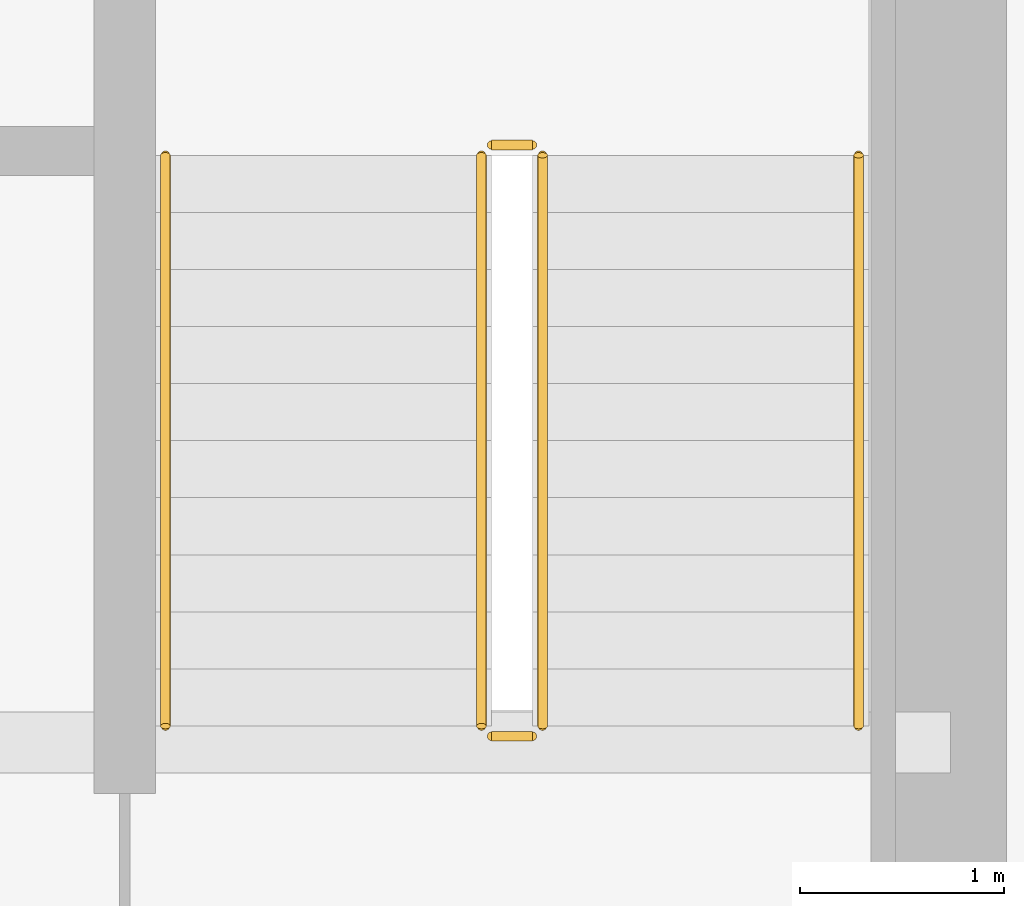
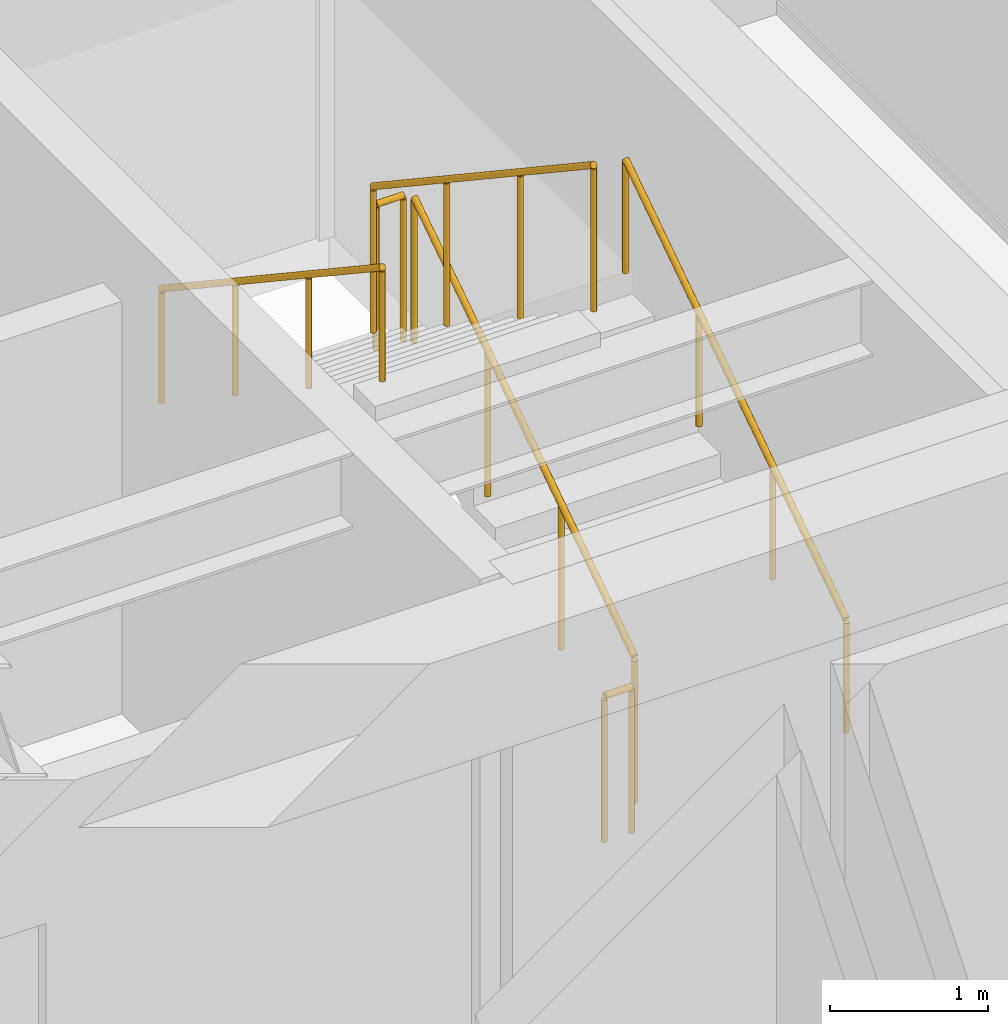
# One storey, part 33 of 33: 6 railings.
"""IFC4 building model written with IfcOpenShell, lengths in metres."""

from ifc_helpers import new_model, si_unit, direction, frame, origin, origin_2d, place, context, subcontext, project, spatial, circle, extrude, source, transform, mapped, material, type_object, type_shapes, element, save


model = new_model("IFC4")

# Units and contexts
model_context = context("Model", 3, precision=1e-05, world=origin(), true_north=direction((0.0, 1.0)))
body_context = subcontext(model_context, "Body", "Model", "MODEL_VIEW")
ifc_project = project(units=[si_unit("LENGTHUNIT", "METRE"), si_unit("AREAUNIT", "SQUARE_METRE"), si_unit("VOLUMEUNIT", "CUBIC_METRE"), si_unit("PLANEANGLEUNIT", "RADIAN"), si_unit("MASSUNIT", "GRAM", prefix="KILO")], contexts=[model_context])

# Site, building, storey
site_placement = place(None, origin())
site = spatial("IfcSite", under=ifc_project, at=site_placement, CompositionType="ELEMENT")
building_placement = place(site_placement, origin())
building = spatial("IfcBuilding", under=site, at=building_placement, Name="Haelvirn Gate Laboratories", CompositionType="ELEMENT")
storey_placement = place(building_placement, frame((0.0, 0.0, 217.800048828125)))
storey = spatial("IfcBuildingStorey", under=building, at=storey_placement, Name="L52", CompositionType="ELEMENT", Elevation=217.800048828125)

# Railings
ifc_material_1 = material(Name="Galvanised steel SM355 & stainless top rail", Category="steel")
railing_type_1 = type_object("IfcRailingType", Name="RL-GUARD-1150", PredefinedType="GUARDRAIL", material=ifc_material_1)
shared_shape_1 = source(origin(), body_context, "Body", "SweptSolid", [
    extrude(circle(Radius=0.02392578125, at=origin_2d()), frame((0.0, 0.0, 1.1259765625), z_axis=(0.0, 0.832452072856, 0.554097055034), x_axis=(-1.0, 0.0, 0.0)), (0.0, 0.0, 1.0), 3.363525390625),
    extrude(circle(Radius=0.02099609375, at=origin_2d()), origin(), (0.0, 0.0, 1.0), 1.101806640625),
    extrude(circle(Radius=0.02099609375, at=origin_2d()), frame((0.0, 0.933349609375, 0.621337890625)), (0.0, 0.0, 1.0), 1.101806640625),
    extrude(circle(Radius=0.02099609375, at=origin_2d()), frame((0.0, 1.86669921875, 1.242431640625)), (0.0, 0.0, 1.0), 1.101806640625),
    extrude(circle(Radius=0.02099609375, at=origin_2d()), frame((0.0, 2.800048828125, 1.86376953125)), (0.0, 0.0, 1.0), 1.101806640625),
])
railing_1_placement = place(storey_placement, frame((65.39990234375, 26.699951171875, 0.186279296875)))
element("IfcRailing", 1, at=railing_1_placement, inside=storey, type_object=railing_type_1, Name="L52 ST2 stair guard 1", PredefinedType="GUARDRAIL", context=body_context, shape_type="MappedRepresentation", body=[
    mapped(shared_shape_1, transform((0.0, 0.0, 0.0), scale=1.0)),
])
shared_shape_2 = source(origin(), body_context, "Body", "SweptSolid", [
    extrude(circle(Radius=0.02392578125, at=origin_2d()), frame((0.0, 0.0, 1.1259765625), z_axis=(0.0, -0.832485552168, 0.554046753832), x_axis=(1.0, 0.0, 0.0)), (0.0, 0.0, 1.0), 3.363525390625),
    extrude(circle(Radius=0.02099609375, at=origin_2d()), origin(), (0.0, 0.0, 1.0), 1.101806640625),
    extrude(circle(Radius=0.02099609375, at=origin_2d()), frame((0.0, -0.933349609375, 0.62109375)), (0.0, 0.0, 1.0), 1.101806640625),
    extrude(circle(Radius=0.02099609375, at=origin_2d()), frame((0.0, -1.86669921875, 1.242431640625)), (0.0, 0.0, 1.0), 1.101806640625),
    extrude(circle(Radius=0.02099609375, at=origin_2d()), frame((0.0, -2.800048828125, 1.863525390625)), (0.0, 0.0, 1.0), 1.101806640625),
])
railing_2_placement = place(storey_placement, frame((65.10009765625, 29.5, 2.236328125)))
element("IfcRailing", 2, at=railing_2_placement, inside=storey, type_object=railing_type_1, Name="L52 ST2 stair guard 3", PredefinedType="GUARDRAIL", context=body_context, shape_type="MappedRepresentation", body=[
    mapped(shared_shape_2, transform((0.0, 0.0, 0.0), scale=1.0)),
])
ifc_material_2 = material(Name="Brushed stainless steel 316L", Category="steel")
railing_type_2 = type_object("IfcRailingType", Name="RL-HAND-920", PredefinedType="HANDRAIL", material=ifc_material_2)
shared_shape_3 = source(origin(), body_context, "Body", "SweptSolid", [
    extrude(circle(Radius=0.02392578125, at=origin_2d()), frame((0.0, 0.0, 0.8759765625), z_axis=(0.0, 0.832452072856, 0.554097055034), x_axis=(-1.0, 0.0, 0.0)), (0.0, 0.0, 1.0), 3.363525390625),
    extrude(circle(Radius=0.02099609375, at=origin_2d()), origin(), (0.0, 0.0, 1.0), 0.851806640625),
    extrude(circle(Radius=0.02099609375, at=origin_2d()), frame((0.0, 0.933349609375, 0.621337890625)), (0.0, 0.0, 1.0), 0.851806640625),
    extrude(circle(Radius=0.02099609375, at=origin_2d()), frame((0.0, 1.86669921875, 1.242431640625)), (0.0, 0.0, 1.0), 0.851806640625),
    extrude(circle(Radius=0.02099609375, at=origin_2d()), frame((0.0, 2.800048828125, 1.86376953125)), (0.0, 0.0, 1.0), 0.851806640625),
])
railing_3_placement = place(storey_placement, frame((66.949951171875, 26.699951171875, 0.186279296875)))
element("IfcRailing", 3, at=railing_3_placement, inside=storey, type_object=railing_type_2, Name="L52 ST2 stair handrail 1", PredefinedType="HANDRAIL", context=body_context, shape_type="MappedRepresentation", body=[
    mapped(shared_shape_3, transform((0.0, 0.0, 0.0), scale=1.0)),
])
shared_shape_4 = source(origin(), body_context, "Body", "SweptSolid", [
    extrude(circle(Radius=0.02392578125, at=origin_2d()), frame((0.0, 0.0, 0.8759765625), z_axis=(0.0, -0.832485552168, 0.554046753832), x_axis=(1.0, 0.0, 0.0)), (0.0, 0.0, 1.0), 3.363525390625),
    extrude(circle(Radius=0.02099609375, at=origin_2d()), origin(), (0.0, 0.0, 1.0), 0.851806640625),
    extrude(circle(Radius=0.02099609375, at=origin_2d()), frame((0.0, -0.933349609375, 0.62109375)), (0.0, 0.0, 1.0), 0.851806640625),
    extrude(circle(Radius=0.02099609375, at=origin_2d()), frame((0.0, -1.86669921875, 1.242431640625)), (0.0, 0.0, 1.0), 0.851806640625),
    extrude(circle(Radius=0.02099609375, at=origin_2d()), frame((0.0, -2.800048828125, 1.863525390625)), (0.0, 0.0, 1.0), 0.851806640625),
])
type_shapes(railing_type_2, [shared_shape_3, shared_shape_4])
railing_4_placement = place(storey_placement, frame((63.550048828125, 29.5, 2.236328125)))
element("IfcRailing", 4, at=railing_4_placement, inside=storey, type_object=railing_type_2, Name="L52 ST2 stair handrail 2", PredefinedType="HANDRAIL", context=body_context, shape_type="MappedRepresentation", body=[
    mapped(shared_shape_4, transform((0.0, 0.0, 0.0), scale=1.0)),
])
shared_shape_5 = source(origin(), body_context, "Body", "SweptSolid", [
    extrude(circle(Radius=0.02392578125, at=origin_2d()), frame((0.0, 0.0, 1.1259765625), z_axis=(-1.0, 0.0, 0.0), x_axis=(0.0, -1.0, 0.0)), (0.0, 0.0, 1.0), 0.2001953125),
    extrude(circle(Radius=0.02099609375, at=origin_2d()), origin(), (0.0, 0.0, 1.0), 1.101806640625),
    extrude(circle(Radius=0.02099609375, at=origin_2d()), frame((-0.2001953125, 0.0, 0.0)), (0.0, 0.0, 1.0), 1.101806640625),
])
type_shapes(railing_type_1, [shared_shape_1, shared_shape_2, shared_shape_5])
for number, where, name in (
    (5, (65.35009765625, 29.550048828125, 2.050048828125), "L52 ST2 stair guard 2"),
    (6, (65.35009765625, 26.64990234375, 0.0), "L52 ST2 stair guard 4"),
):
    element("IfcRailing", number, at=place(storey_placement, frame(where)), inside=storey, type_object=railing_type_1, Name=name, PredefinedType="GUARDRAIL", context=body_context, shape_type="MappedRepresentation", body=[
        mapped(shared_shape_5, transform((0.0, 0.0, 0.0), scale=1.0)),
    ])

save(model, "model.ifc")
